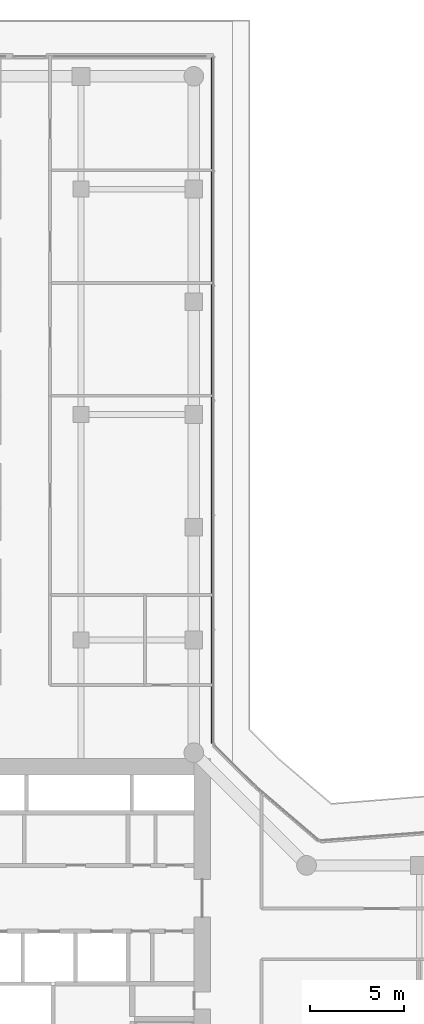
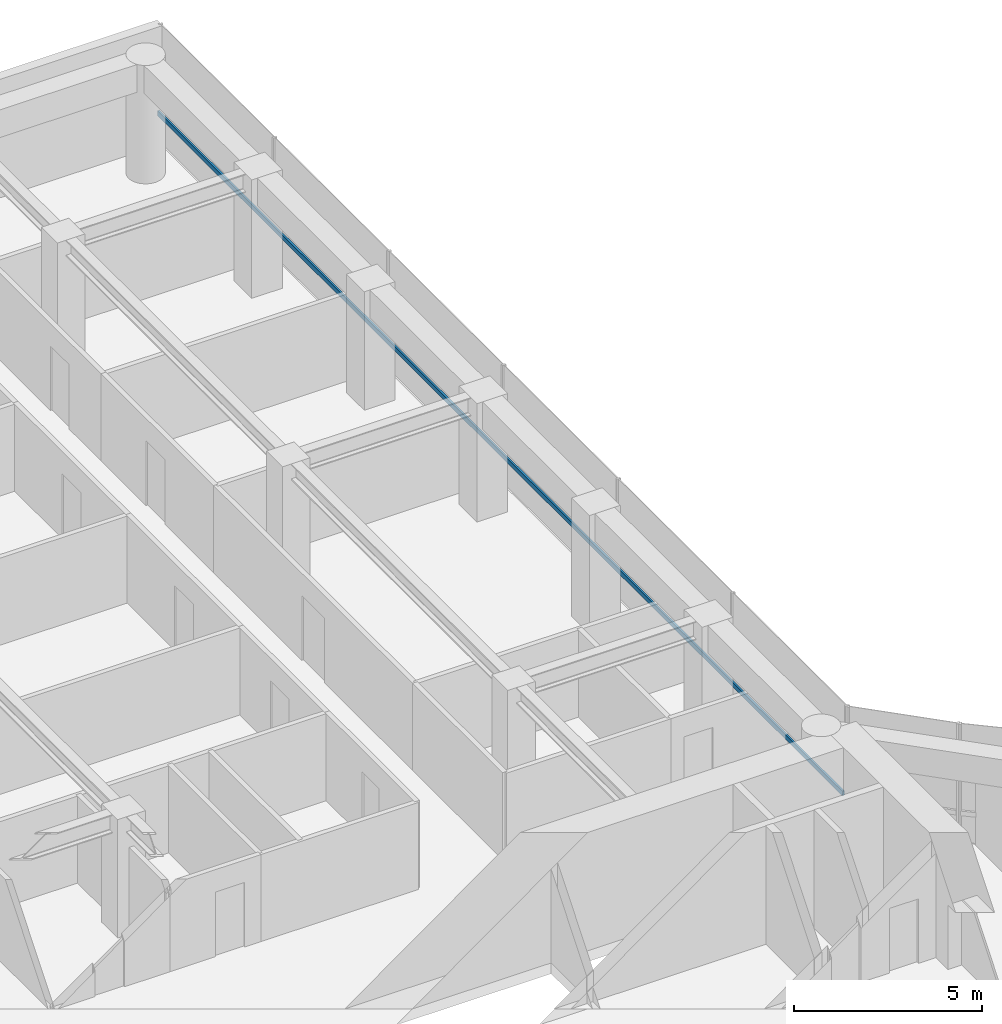
# One storey, part 17 of 28: 1 member, 1 element without a shape of its own.
"""IFC4 building model written with IfcOpenShell, lengths in metres."""

from ifc_helpers import new_model, si_unit, direction, frame, origin, origin_2d, place, context, subcontext, project, spatial, rectangle, extrude, material, layer, layer_set, material_profile, profile_set, type_object, element, aggregate, save


model = new_model("IFC4")

# Units and contexts
model_context = context("Model", 3, precision=1e-05, world=origin(), true_north=direction((0.0, 1.0)))
body_context = subcontext(model_context, "Body", "Model", "MODEL_VIEW")
ifc_project = project(units=[si_unit("LENGTHUNIT", "METRE"), si_unit("AREAUNIT", "SQUARE_METRE"), si_unit("VOLUMEUNIT", "CUBIC_METRE"), si_unit("PLANEANGLEUNIT", "RADIAN"), si_unit("MASSUNIT", "GRAM", prefix="KILO")], contexts=[model_context])

# Site, building, storey
site_placement = place(None, origin())
site = spatial("IfcSite", under=ifc_project, at=site_placement, CompositionType="ELEMENT")
building_placement = place(site_placement, origin())
building = spatial("IfcBuilding", under=site, at=building_placement, Name="Welwitschia Terrace Campus", CompositionType="ELEMENT")
storey_placement = place(building_placement, frame((0.0, 0.0, 71.0)))
storey = spatial("IfcBuildingStorey", under=building, at=storey_placement, Name="L16", CompositionType="ELEMENT", Elevation=71.0)

# Curtain wall, member
ifc_material_1 = material(Name="Bronze anodised aluminium", Category="aluminium")
ifc_layer = layer(ifc_material_1, 0.1201171875)
ifc_layer_set = layer_set([ifc_layer], Name="Bronze anodised aluminium")
curtain_wall_type = type_object("IfcCurtainWallType", Name="Curtain wall CW2 tower 6000", PredefinedType="NOTDEFINED", material=ifc_layer_set)
curtain_wall_placement = place(storey_placement, origin())
curtain_wall = element("IfcCurtainWall", 1, at=curtain_wall_placement, inside=storey, type_object=curtain_wall_type, Name="CW L16.14.0", PredefinedType="NOTDEFINED")
ifc_material_2 = material(Name="Bronze anodised aluminium", Category="aluminium")
ifc_material_profile = material_profile(ifc_material_2, rectangle(XDim=0.06005859375, YDim=0.14990234375, at=origin_2d()))
ifc_profile_set = profile_set([ifc_material_profile], Name="Bronze anodised aluminium")
member_type = type_object("IfcMemberType", Name="Transom 60x150", PredefinedType="USERDEFINED", material=ifc_profile_set)
member_placement = place(storey_placement, frame((24.968017578125, 26.498291015625, 1.0), z_axis=(0.0, 1.0, 0.0), x_axis=(-1.0, 0.0, 0.0)))
member = element("IfcMember", 2, at=member_placement, type_object=member_type, Name="Transom L16.14.0", ObjectType="TRANSOM", PredefinedType="USERDEFINED", context=body_context, shape_type="SweptSolid", body=[
    extrude(rectangle(XDim=0.06005859375, YDim=0.14990234375, at=origin_2d()), origin(), (0.0, 0.0, 1.0), 36.499755859375),
])
aggregate(curtain_wall, [member])

save(model, "model.ifc")
